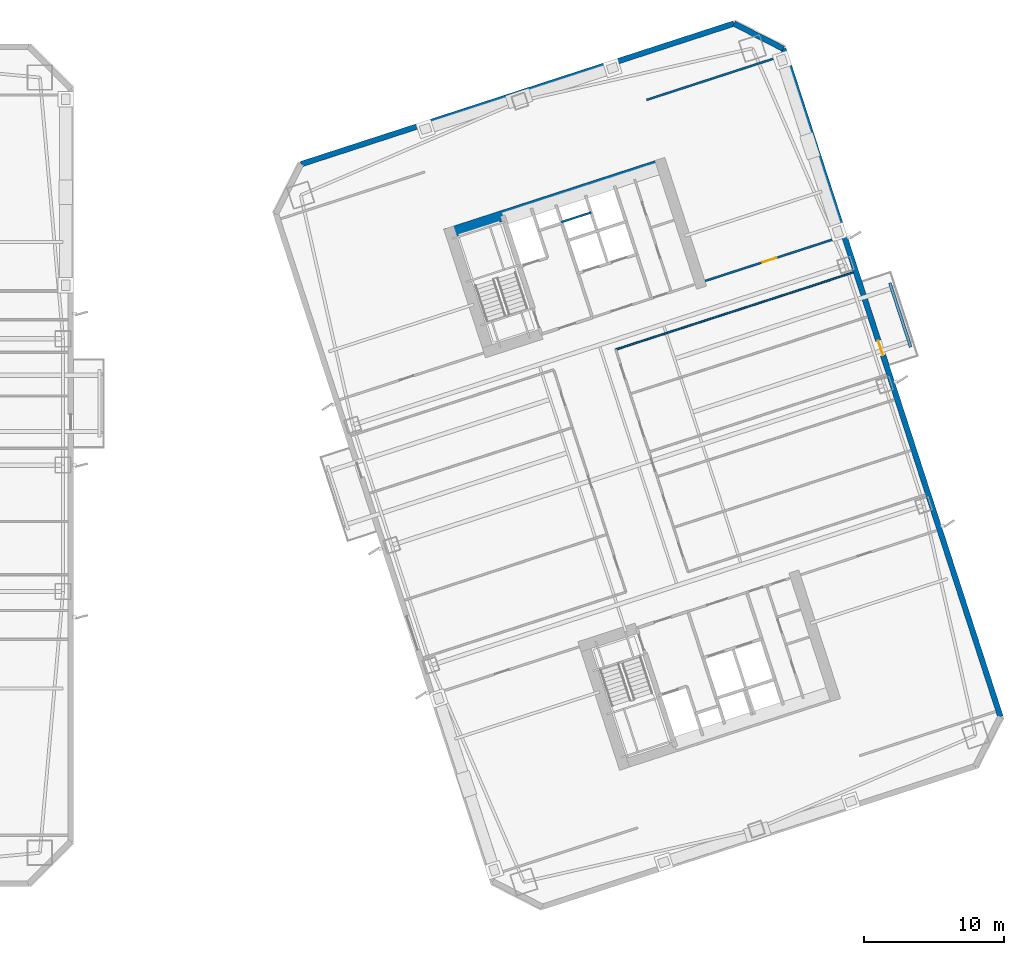
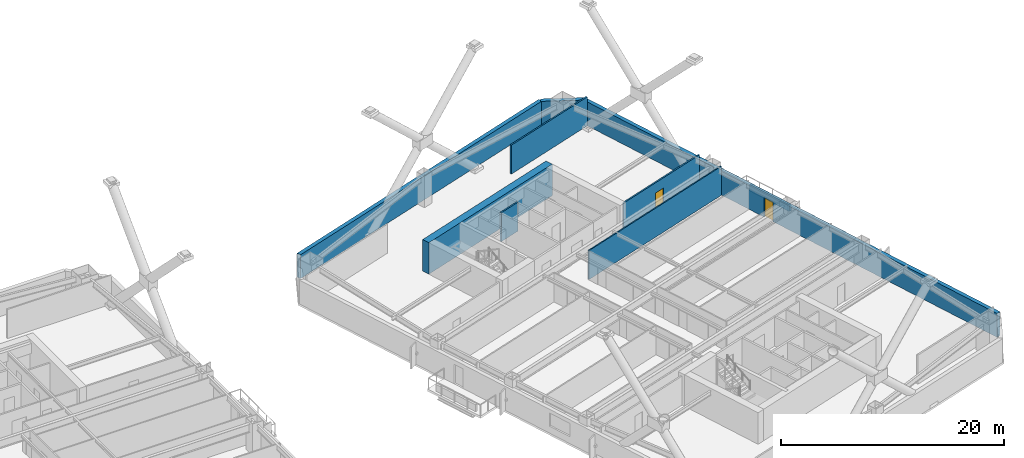
# One storey, part 9 of 18: 9 walls, 2 doors, 2 openings.
"""IFC4 building model written with IfcOpenShell, lengths in metres."""

from ifc_helpers import new_model, si_unit, direction, frame, frame_2d, origin, place, context, subcontext, project, spatial, rectangle, extrude, material, layer, layer_set, type_object, element, fill, save


model = new_model("IFC4")

# Units and contexts
model_context = context("Model", 3, precision=1e-05, world=origin(), true_north=direction((0.0, 1.0)))
body_context = subcontext(model_context, "Body", "Model", "MODEL_VIEW")
ifc_project = project(units=[si_unit("LENGTHUNIT", "METRE"), si_unit("AREAUNIT", "SQUARE_METRE"), si_unit("VOLUMEUNIT", "CUBIC_METRE"), si_unit("PLANEANGLEUNIT", "RADIAN"), si_unit("MASSUNIT", "GRAM", prefix="KILO")], contexts=[model_context])

# Site, building, storey
site_placement = place(None, origin())
site = spatial("IfcSite", under=ifc_project, at=site_placement, CompositionType="ELEMENT")
building_placement = place(site_placement, origin())
building = spatial("IfcBuilding", under=site, at=building_placement, Name="Qiaolan Cultural Towers", CompositionType="ELEMENT")
storey_placement = place(building_placement, frame((0.0, 0.0, 57.5)))
storey = spatial("IfcBuildingStorey", under=building, at=storey_placement, Name="L13", CompositionType="ELEMENT", Elevation=57.5)

# Walls
ifc_material_1 = material(Name="Concrete C60", Category="concrete")
ifc_layer_1 = layer(ifc_material_1, 0.75)
ifc_layer_set_1 = layer_set([ifc_layer_1], Name="Concrete C60")
wall_type_1 = type_object("IfcWallType", Name="WL-CORE-750", PredefinedType="SHEAR", material=ifc_layer_set_1)
wall_1_placement = place(storey_placement, frame((76.27197265625, 50.442626953125, 0.0), z_axis=(0.0, 0.0, 1.0), x_axis=(0.951056072937, 0.309018358888, 0.0)))
element("IfcWall", 1, at=wall_1_placement, inside=storey, type_object=wall_type_1, Name="L13 T2-CN Outer Core Shear Wall", PredefinedType="SHEAR", context=body_context, shape_type="SweptSolid", body=[
    extrude(rectangle(XDim=16.550048828125, YDim=0.75, at=frame_2d((8.27490234375, 0.0))), origin(), (0.0, 0.0, 1.0), 3.449951171875),
])
ifc_material_2 = material(Name="Precast Concrete C50 Honed Stone Pier", Category="masonry")
ifc_layer_2 = layer(ifc_material_2, 0.39990234375)
ifc_layer_set_2 = layer_set([ifc_layer_2], Name="Precast Concrete C50 Honed Stone Pier")
wall_type_2 = type_object("IfcWallType", Name="WL-EXT-PIER-400", PredefinedType="SOLIDWALL", material=ifc_layer_set_2)
wall_2_placement = place(storey_placement, frame((66.002197265625, 55.433349609375, 0.0), z_axis=(0.0, 0.0, 1.0), x_axis=(0.951055939317, 0.309018770125, 0.0)))
element("IfcWall", 2, at=wall_2_placement, inside=storey, type_object=wall_type_2, Name="L13 East Tower Precast Pier Facade Wall F3", PredefinedType="SOLIDWALL", context=body_context, shape_type="SweptSolid", body=[
    extrude(rectangle(XDim=32.39990234375, YDim=0.39990234375, at=frame_2d((16.199951171875, 0.0))), origin(), (0.0, 0.0, 1.0), 2.610107421875),
])
wall_3_placement = place(storey_placement, frame((96.81640625, 65.445556640625, 0.0), z_axis=(0.0, 0.0, 1.0), x_axis=(0.890998089617, -0.454007053137, 0.0)))
element("IfcWall", 3, at=wall_3_placement, inside=storey, type_object=wall_type_2, Name="L13 East Tower Precast Pier Facade Wall F4", PredefinedType="SOLIDWALL", context=body_context, shape_type="SweptSolid", body=[
    extrude(rectangle(XDim=3.9599609375, YDim=0.39990234375, at=frame_2d((1.97998046875, 0.0))), origin(), (0.0, 0.0, 1.0), 2.610107421875),
])

# Wall, opening, door
wall_4_placement = place(storey_placement, frame((100.3447265625, 63.647705078125, 0.0), z_axis=(0.0, 0.0, 1.0), x_axis=(0.309014526607, -0.951057318118, 0.0)))
wall_4 = element("IfcWall", 4, at=wall_4_placement, inside=storey, type_object=wall_type_2, Name="L13 East Tower Precast Pier Facade Wall F5", PredefinedType="SOLIDWALL", context=body_context, shape_type="SweptSolid", body=[
    extrude(rectangle(XDim=49.999755859375, YDim=0.39990234375, at=frame_2d((25.0, 0.0))), origin(), (0.0, 0.0, 1.0), 2.610107421875),
])
opening_1_placement = place(wall_4_placement, frame((21.85009765625, 0.0, 0.0)))
opening_1 = element("IfcOpeningElement", 5, at=opening_1_placement, cuts=wall_4, Name="Opening BD-01", PredefinedType="OPENING", context=body_context, shape_type="SweptSolid", body=[
    extrude(rectangle(XDim=1.10009765625, YDim=2.14990234375, at=frame_2d((0.550048828125, 1.074951171875))), frame((0.0, 0.2099609375, 0.0), z_axis=(0.0, -1.0, 0.0), x_axis=(1.0, 0.0, 0.0)), (0.0, 0.0, 1.0), 0.419921875),
])
ifc_material_3 = material(Name="Thermally Broken Aluminium Glazed Terrace Door", Category="aluminium")
door_type_1 = type_object("IfcDoorType", Name="DR-BAL-1100", OperationType="NOTDEFINED", PredefinedType="DOOR", material=ifc_material_3)
door_1_placement = place(opening_1_placement, origin())
door_1 = element("IfcDoor", 6, at=door_1_placement, inside=storey, type_object=door_type_1, Name="L13 T2 East Tree Balcony Door", OperationType="SINGLE_SWING_RIGHT", OverallHeight=2.14990234375, OverallWidth=1.10009765625, PredefinedType="DOOR", context=body_context, shape_type="SweptSolid", body=[
    extrude(rectangle(XDim=1.10009765625, YDim=2.14990234375, at=frame_2d((0.550048828125, 1.074951171875))), frame((0.0, 0.02490234375, 0.0), z_axis=(0.0, -1.0, 0.0), x_axis=(1.0, 0.0, 0.0)), (0.0, 0.0, 1.0), 0.050048828125),
])
fill(opening_1, door_1)

# Walls
ifc_material_4 = material(Name="Gypsum Stud Acoustic Partition", Category="gypsum")
ifc_layer_3 = layer(ifc_material_4, 0.1201171875)
ifc_layer_set_3 = layer_set([ifc_layer_3], Name="Gypsum Stud Acoustic Partition")
wall_type_3 = type_object("IfcWallType", Name="WL-PART-120", PredefinedType="PARTITIONING", material=ifc_layer_set_3)
wall_5_placement = place(storey_placement, frame((88.40380859375, 42.2294921875, 0.0), z_axis=(0.0, 0.0, 1.0), x_axis=(0.951054152931, 0.309024267966, 0.0)))
element("IfcWall", 7, at=wall_5_placement, inside=storey, type_object=wall_type_3, Name="L13 T2 North Corridor Right Wall", PredefinedType="PARTITIONING", context=body_context, shape_type="SweptSolid", body=[
    extrude(rectangle(XDim=17.775146484375, YDim=0.1201171875, at=frame_2d((8.8876953125, 0.0))), origin(), (0.0, 0.0, 1.0), 3.175048828125),
])
ifc_material_5 = material(Name="Autoclaved Aerated Concrete Block B06", Category="concrete")
ifc_layer_4 = layer(ifc_material_5, 0.14990234375)
ifc_layer_set_4 = layer_set([ifc_layer_4], Name="Autoclaved Aerated Concrete Block B06")
wall_type_4 = type_object("IfcWallType", Name="WL-PART-150", PredefinedType="PARTITIONING", material=ifc_layer_set_4)
wall_6_placement = place(storey_placement, frame((84.533935546875, 51.30810546875, 0.0), z_axis=(0.0, 0.0, 1.0), x_axis=(0.951075093106, 0.308959814982, 0.0)))
element("IfcWall", 8, at=wall_6_placement, inside=storey, type_object=wall_type_4, Name="L13 T2-CN Core Rear Riser Split", PredefinedType="PARTITIONING", context=body_context, shape_type="SweptSolid", body=[
    extrude(rectangle(XDim=2.22998046875, YDim=0.14990234375, at=frame_2d((1.114990234375, 0.0))), origin(), (0.0, 0.0, 1.0), 3.175048828125),
])
wall_7_placement = place(storey_placement, frame((90.5927734375, 60.006103515625, 0.0), z_axis=(0.0, 0.0, 1.0), x_axis=(0.951059043131, 0.309009217467, 0.0)))
element("IfcWall", 9, at=wall_7_placement, inside=storey, type_object=wall_type_4, Name="L13 T2 Flank Wall FLK-NE", PredefinedType="PARTITIONING", context=body_context, shape_type="SweptSolid", body=[
    extrude(rectangle(XDim=10.199951171875, YDim=0.14990234375, at=frame_2d((5.10009765625, 0.0))), origin(), (0.0, 0.0, 1.0), 3.175048828125),
])

# Wall, opening, door
wall_8_placement = place(storey_placement, frame((94.77978515625, 47.119140625, 0.0), z_axis=(0.0, 0.0, 1.0), x_axis=(0.951054294345, 0.309023832749, 0.0)))
wall_8 = element("IfcWall", 10, at=wall_8_placement, inside=storey, type_object=wall_type_4, Name="L13 T2 Flank Front FLK-NE", PredefinedType="PARTITIONING", context=body_context, shape_type="SweptSolid", body=[
    extrude(rectangle(XDim=10.2001953125, YDim=0.14990234375, at=frame_2d((5.10009765625, 0.0))), origin(), (0.0, 0.0, 1.0), 3.175048828125),
])
opening_2_placement = place(wall_8_placement, frame((4.283935546875, 0.0, 0.0)))
opening_2 = element("IfcOpeningElement", 11, at=opening_2_placement, cuts=wall_8, Name="Opening ID-07", PredefinedType="OPENING", context=body_context, shape_type="SweptSolid", body=[
    extrude(rectangle(XDim=1.050048828125, YDim=2.050048828125, at=frame_2d((0.52490234375, 1.02490234375))), frame((0.0, 0.0849609375, 0.0), z_axis=(0.0, -1.0, 0.0), x_axis=(1.0, 0.0, 0.0)), (0.0, 0.0, 1.0), 0.169921875),
])
ifc_material_6 = material(Name="Oak Veneer Consultation Door", Category="timber")
door_type_2 = type_object("IfcDoorType", Name="DR-INT-1050", OperationType="NOTDEFINED", PredefinedType="DOOR", material=ifc_material_6)
door_2_placement = place(opening_2_placement, origin())
door_2 = element("IfcDoor", 12, at=door_2_placement, inside=storey, type_object=door_type_2, Name="L13 T2 Corner Studio Door", OperationType="SINGLE_SWING_LEFT", OverallHeight=2.050048828125, OverallWidth=1.050048828125, PredefinedType="DOOR", context=body_context, shape_type="SweptSolid", body=[
    extrude(rectangle(XDim=1.050048828125, YDim=2.050048828125, at=frame_2d((0.52490234375, 1.02490234375))), frame((0.0, 0.02490234375, 0.0), z_axis=(0.0, -1.0, 0.0), x_axis=(1.0, 0.0, 0.0)), (0.0, 0.0, 1.0), 0.050048828125),
])
fill(opening_2, door_2)

# Wall
ifc_material_7 = material(Name="Precast Concrete C45 Tree Planter Upstand", Category="concrete")
ifc_layer_5 = layer(ifc_material_7, 0.199951171875)
ifc_layer_set_5 = layer_set([ifc_layer_5], Name="Precast Concrete C45 Tree Planter Upstand")
wall_type_5 = type_object("IfcWallType", Name="WL-PLANTER-200", PredefinedType="PARAPET", material=ifc_layer_set_5)
wall_9_placement = place(storey_placement, frame((109.401611328125, 42.406982421875, 0.0), z_axis=(0.0, 0.0, 1.0), x_axis=(-0.30900096172, 0.951061725471, 0.0)))
element("IfcWall", 13, at=wall_9_placement, inside=storey, type_object=wall_type_5, Name="L13 T2 Tree Balcony Soil Planter Box E", PredefinedType="PARAPET", context=body_context, shape_type="SweptSolid", body=[
    extrude(rectangle(XDim=4.7998046875, YDim=0.199951171875, at=frame_2d((2.39990234375, 0.0))), origin(), (0.0, 0.0, 1.0), 0.75),
])

save(model, "model.ifc")
